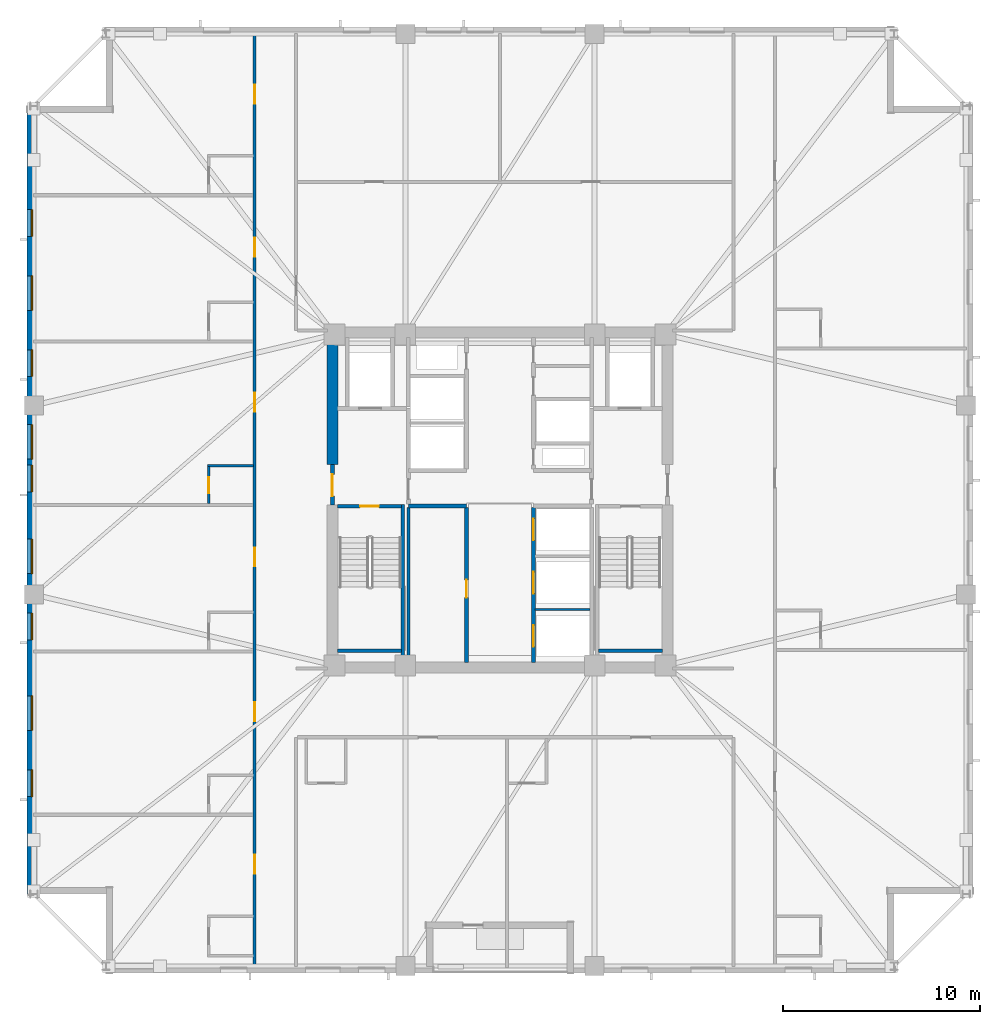
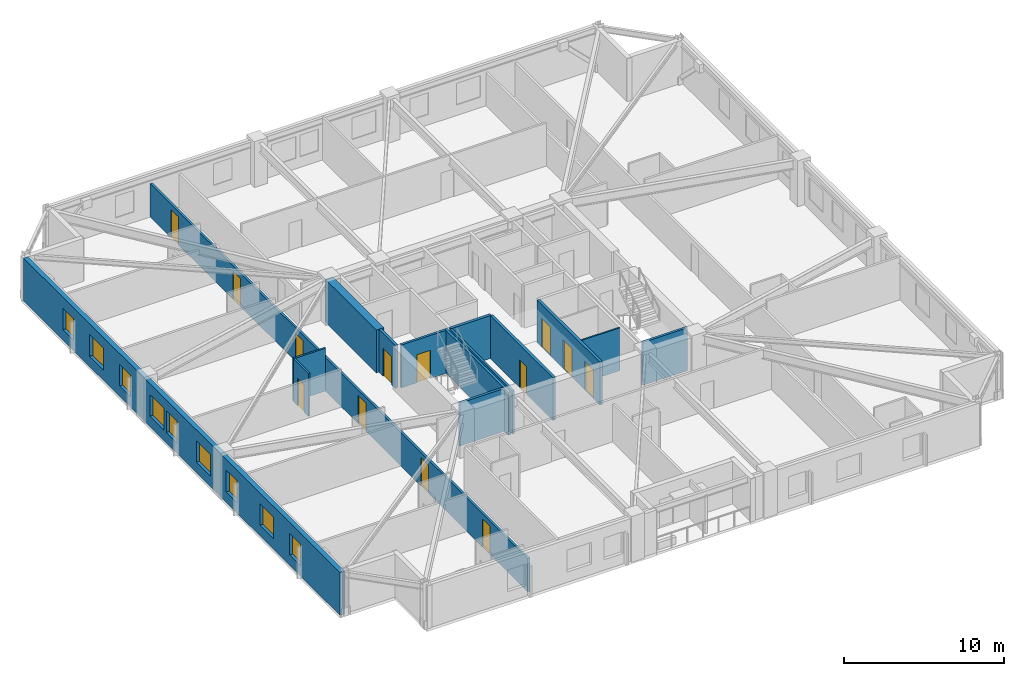
# One storey, part 3 of 11: 15 walls, 13 doors, 9 windows, 22 openings.
"""IFC4 building model written with IfcOpenShell, lengths in metres."""

from ifc_helpers import new_model, si_unit, direction, frame, frame_2d, origin, place, context, subcontext, project, spatial, rectangle, extrude, material, layer, layer_set, type_object, element, fill, save


model = new_model("IFC4")

# Units and contexts
model_context = context("Model", 3, precision=1e-05, world=origin(), true_north=direction((0.0, 1.0)))
body_context = subcontext(model_context, "Body", "Model", "MODEL_VIEW")
ifc_project = project(units=[si_unit("LENGTHUNIT", "METRE"), si_unit("AREAUNIT", "SQUARE_METRE"), si_unit("VOLUMEUNIT", "CUBIC_METRE"), si_unit("PLANEANGLEUNIT", "RADIAN"), si_unit("MASSUNIT", "GRAM", prefix="KILO")], contexts=[model_context])

# Site, building, storey
site_placement = place(None, origin())
site = spatial("IfcSite", under=ifc_project, at=site_placement, CompositionType="ELEMENT")
building_placement = place(site_placement, origin())
building = spatial("IfcBuilding", under=site, at=building_placement, Name="Cairnveth Concourse Tower", CompositionType="ELEMENT")
storey_placement = place(building_placement, frame((0.0, 0.0, 155.0)))
storey = spatial("IfcBuildingStorey", under=building, at=storey_placement, Name="L42", CompositionType="ELEMENT", Elevation=155.0)

# Wall
ifc_material_1 = material(Name="Gypsum Plasterboard Partition", Category="gypsum")
ifc_layer_1 = layer(ifc_material_1, 0.159912109375)
ifc_layer_set_1 = layer_set([ifc_layer_1], Name="Gypsum Plasterboard Partition")
wall_type_1 = type_object("IfcWallType", Name="ACOUSTIC PARTY WALL 180", PredefinedType="PARTITIONING", material=ifc_layer_set_1)
wall_1_placement = place(storey_placement, frame((47.35009765625, 30.760009765625, 0.0), z_axis=(0.0, 0.0, 1.0), x_axis=(0.0, 1.0, 0.0)))
element("IfcWall", 1, at=wall_1_placement, inside=storey, type_object=wall_type_1, Name="Interior Wall IW-L42-025", PredefinedType="PARTITIONING", context=body_context, shape_type="SweptSolid", body=[
    extrude(rectangle(XDim=7.85498046875, YDim=0.159912109375, at=frame_2d((3.927490234375, 0.0))), origin(), (0.0, 0.0, 1.0), 3.280029296875),
])

# Wall, openings, doors
wall_2_placement = place(storey_placement, frame((39.550048828125, 15.324951171875, 0.0), z_axis=(0.0, 0.0, 1.0), x_axis=(0.0, 1.0, 0.0)))
wall_2 = element("IfcWall", 2, at=wall_2_placement, inside=storey, type_object=wall_type_1, Name="Interior Wall IW-L42-036", PredefinedType="PARTITIONING", context=body_context, shape_type="SweptSolid", body=[
    extrude(rectangle(XDim=47.35009765625, YDim=0.159912109375, at=frame_2d((23.675048828125, 0.0))), origin(), (0.0, 0.0, 1.0), 2.554931640625),
])
opening_1_placement = place(wall_2_placement, frame((4.71826171875, 0.0, 0.0)))
opening_1 = element("IfcOpeningElement", 3, at=opening_1_placement, cuts=wall_2, Name="Opening ID09", PredefinedType="OPENING", context=body_context, shape_type="SweptSolid", body=[
    extrude(rectangle(XDim=0.9599609375, YDim=2.14990234375, at=frame_2d((0.47998046875, 1.074951171875))), frame((0.0, 0.08984375, 0.0), z_axis=(0.0, -1.0, 0.0), x_axis=(1.0, 0.0, 0.0)), (0.0, 0.0, 1.0), 0.179931640625),
])
opening_2_placement = place(wall_2_placement, frame((12.44091796875, 0.0, 0.0)))
opening_2 = element("IfcOpeningElement", 4, at=opening_2_placement, cuts=wall_2, Name="Opening ID09", PredefinedType="OPENING", context=body_context, shape_type="SweptSolid", body=[
    extrude(rectangle(XDim=0.9599609375, YDim=2.14990234375, at=frame_2d((0.47998046875, 1.074951171875))), frame((0.0, 0.08984375, 0.0), z_axis=(0.0, -1.0, 0.0), x_axis=(1.0, 0.0, 0.0)), (0.0, 0.0, 1.0), 0.179931640625),
])
opening_3_placement = place(wall_2_placement, frame((20.301025390625, 0.0, 0.0)))
opening_3 = element("IfcOpeningElement", 5, at=opening_3_placement, cuts=wall_2, Name="Opening ID09", PredefinedType="OPENING", context=body_context, shape_type="SweptSolid", body=[
    extrude(rectangle(XDim=0.9599609375, YDim=2.14990234375, at=frame_2d((0.47998046875, 1.074951171875))), frame((0.0, 0.08984375, 0.0), z_axis=(0.0, -1.0, 0.0), x_axis=(1.0, 0.0, 0.0)), (0.0, 0.0, 1.0), 0.179931640625),
])
opening_4_placement = place(wall_2_placement, frame((28.160888671875, 0.0, 0.0)))
opening_4 = element("IfcOpeningElement", 6, at=opening_4_placement, cuts=wall_2, Name="Opening ID09", PredefinedType="OPENING", context=body_context, shape_type="SweptSolid", body=[
    extrude(rectangle(XDim=0.9599609375, YDim=2.14990234375, at=frame_2d((0.47998046875, 1.074951171875))), frame((0.0, 0.08984375, 0.0), z_axis=(0.0, -1.0, 0.0), x_axis=(1.0, 0.0, 0.0)), (0.0, 0.0, 1.0), 0.179931640625),
])
opening_5_placement = place(wall_2_placement, frame((36.02099609375, 0.0, 0.0)))
opening_5 = element("IfcOpeningElement", 7, at=opening_5_placement, cuts=wall_2, Name="Opening ID09", PredefinedType="OPENING", context=body_context, shape_type="SweptSolid", body=[
    extrude(rectangle(XDim=0.9599609375, YDim=2.14990234375, at=frame_2d((0.47998046875, 1.074951171875))), frame((0.0, 0.08984375, 0.0), z_axis=(0.0, -1.0, 0.0), x_axis=(1.0, 0.0, 0.0)), (0.0, 0.0, 1.0), 0.179931640625),
])
opening_6_placement = place(wall_2_placement, frame((43.793212890625, 0.0, 0.0)))
opening_6 = element("IfcOpeningElement", 8, at=opening_6_placement, cuts=wall_2, Name="Opening ID09", PredefinedType="OPENING", context=body_context, shape_type="SweptSolid", body=[
    extrude(rectangle(XDim=0.9599609375, YDim=2.14990234375, at=frame_2d((0.47998046875, 1.074951171875))), frame((0.0, 0.08984375, 0.0), z_axis=(0.0, -1.0, 0.0), x_axis=(1.0, 0.0, 0.0)), (0.0, 0.0, 1.0), 0.179931640625),
])
ifc_material_2 = material(Name="Solid Core Hardwood Timber Leaf", Category="wood")
door_type_1 = type_object("IfcDoorType", Name="HOTEL ENTRANCE DOOR 960X2150", OperationType="NOTDEFINED", PredefinedType="DOOR", material=ifc_material_2)
door_1_placement = place(opening_1_placement, origin())
door_1 = element("IfcDoor", 9, at=door_1_placement, inside=storey, type_object=door_type_1, Name="Hotel Room Door L42-W1", OperationType="SINGLE_SWING_LEFT", OverallHeight=2.14990234375, OverallWidth=0.9599609375, PredefinedType="DOOR", context=body_context, shape_type="SweptSolid", body=[
    extrude(rectangle(XDim=0.9599609375, YDim=2.14990234375, at=frame_2d((0.47998046875, 1.074951171875))), frame((0.0, 0.02490234375, 0.0), z_axis=(0.0, -1.0, 0.0), x_axis=(1.0, 0.0, 0.0)), (0.0, 0.0, 1.0), 0.050048828125),
])
fill(opening_1, door_1)
door_2_placement = place(opening_2_placement, origin())
door_2 = element("IfcDoor", 10, at=door_2_placement, inside=storey, type_object=door_type_1, Name="Hotel Room Door L42-W2", OperationType="SINGLE_SWING_LEFT", OverallHeight=2.14990234375, OverallWidth=0.9599609375, PredefinedType="DOOR", context=body_context, shape_type="SweptSolid", body=[
    extrude(rectangle(XDim=0.9599609375, YDim=2.14990234375, at=frame_2d((0.47998046875, 1.074951171875))), frame((0.0, 0.02490234375, 0.0), z_axis=(0.0, -1.0, 0.0), x_axis=(1.0, 0.0, 0.0)), (0.0, 0.0, 1.0), 0.050048828125),
])
fill(opening_2, door_2)
door_3_placement = place(opening_3_placement, origin())
door_3 = element("IfcDoor", 11, at=door_3_placement, inside=storey, type_object=door_type_1, Name="Hotel Room Door L42-W3", OperationType="SINGLE_SWING_LEFT", OverallHeight=2.14990234375, OverallWidth=0.9599609375, PredefinedType="DOOR", context=body_context, shape_type="SweptSolid", body=[
    extrude(rectangle(XDim=0.9599609375, YDim=2.14990234375, at=frame_2d((0.47998046875, 1.074951171875))), frame((0.0, 0.02490234375, 0.0), z_axis=(0.0, -1.0, 0.0), x_axis=(1.0, 0.0, 0.0)), (0.0, 0.0, 1.0), 0.050048828125),
])
fill(opening_3, door_3)
door_4_placement = place(opening_4_placement, origin())
door_4 = element("IfcDoor", 12, at=door_4_placement, inside=storey, type_object=door_type_1, Name="Hotel Room Door L42-W4", OperationType="SINGLE_SWING_LEFT", OverallHeight=2.14990234375, OverallWidth=0.9599609375, PredefinedType="DOOR", context=body_context, shape_type="SweptSolid", body=[
    extrude(rectangle(XDim=0.9599609375, YDim=2.14990234375, at=frame_2d((0.47998046875, 1.074951171875))), frame((0.0, 0.02490234375, 0.0), z_axis=(0.0, -1.0, 0.0), x_axis=(1.0, 0.0, 0.0)), (0.0, 0.0, 1.0), 0.050048828125),
])
fill(opening_4, door_4)
door_5_placement = place(opening_5_placement, origin())
door_5 = element("IfcDoor", 13, at=door_5_placement, inside=storey, type_object=door_type_1, Name="Hotel Room Door L42-W5", OperationType="SINGLE_SWING_LEFT", OverallHeight=2.14990234375, OverallWidth=0.9599609375, PredefinedType="DOOR", context=body_context, shape_type="SweptSolid", body=[
    extrude(rectangle(XDim=0.9599609375, YDim=2.14990234375, at=frame_2d((0.47998046875, 1.074951171875))), frame((0.0, 0.02490234375, 0.0), z_axis=(0.0, -1.0, 0.0), x_axis=(1.0, 0.0, 0.0)), (0.0, 0.0, 1.0), 0.050048828125),
])
fill(opening_5, door_5)
door_6_placement = place(opening_6_placement, origin())
door_6 = element("IfcDoor", 14, at=door_6_placement, inside=storey, type_object=door_type_1, Name="Hotel Room Door L42-W6", OperationType="SINGLE_SWING_LEFT", OverallHeight=2.14990234375, OverallWidth=0.9599609375, PredefinedType="DOOR", context=body_context, shape_type="SweptSolid", body=[
    extrude(rectangle(XDim=0.9599609375, YDim=2.14990234375, at=frame_2d((0.47998046875, 1.074951171875))), frame((0.0, 0.02490234375, 0.0), z_axis=(0.0, -1.0, 0.0), x_axis=(1.0, 0.0, 0.0)), (0.0, 0.0, 1.0), 0.050048828125),
])
fill(opening_6, door_6)

# Wall
ifc_material_3 = material(Name="Concrete N80 (80 MPa)", Category="concrete")
ifc_layer_2 = layer(ifc_material_3, 0.550048828125)
ifc_layer_set_2 = layer_set([ifc_layer_2], Name="Concrete N80 (80 MPa)")
wall_type_2 = type_object("IfcWallType", Name="CORE SHEAR WALL 550", PredefinedType="SHEAR", material=ifc_layer_set_2)
wall_3_placement = place(storey_placement, frame((43.5, 40.800048828125, 0.0), z_axis=(0.0, 0.0, 1.0), x_axis=(0.0, 1.0, 0.0)))
element("IfcWall", 15, at=wall_3_placement, inside=storey, type_object=wall_type_2, Name="Core West Shear Wall N L42", PredefinedType="SHEAR", context=body_context, shape_type="SweptSolid", body=[
    extrude(rectangle(XDim=6.43505859375, YDim=0.550048828125, at=frame_2d((3.217529296875, 0.0))), origin(), (0.0, 0.0, 1.0), 3.280029296875),
])

# Wall, opening, door
ifc_material_4 = material(Name="Concrete N50 (50 MPa)", Category="concrete")
ifc_layer_3 = layer(ifc_material_4, 0.179931640625)
ifc_layer_set_3 = layer_set([ifc_layer_3], Name="Concrete N50 (50 MPa)")
wall_type_3 = type_object("IfcWallType", Name="FIRE SHAFT WALL 180", PredefinedType="SOLIDWALL", material=ifc_layer_set_3)
wall_4_placement = place(storey_placement, frame((43.764892578125, 38.68994140625, 0.0), z_axis=(0.0, 0.0, 1.0), x_axis=(1.0, 0.0, 0.0)))
wall_4 = element("IfcWall", 16, at=wall_4_placement, inside=storey, type_object=wall_type_3, Name="Stair ST-1 Shaft Wall NEAR L42", PredefinedType="SOLIDWALL", context=body_context, shape_type="SweptSolid", body=[
    extrude(rectangle(XDim=3.230224609375, YDim=0.179931640625, at=frame_2d((1.615234375, 0.0))), origin(), (0.0, 0.0, 1.0), 3.280029296875),
])
opening_7_placement = place(wall_4_placement, frame((1.139892578125, 0.0, 0.0)))
opening_7 = element("IfcOpeningElement", 17, at=opening_7_placement, cuts=wall_4, Name="Opening ID12", PredefinedType="OPENING", context=body_context, shape_type="SweptSolid", body=[
    extrude(rectangle(XDim=0.949951171875, YDim=2.14990234375, at=frame_2d((0.47509765625, 1.074951171875))), frame((0.0, 0.099853515625, 0.0), z_axis=(0.0, -1.0, 0.0), x_axis=(1.0, 0.0, 0.0)), (0.0, 0.0, 1.0), 0.199951171875),
])
ifc_material_5 = material(Name="Steel Grade 350", Category="steel")
door_type_2 = type_object("IfcDoorType", Name="FIRE STAIR DOOR 950X2150", OperationType="NOTDEFINED", PredefinedType="DOOR", material=ifc_material_5)
door_7_placement = place(opening_7_placement, origin())
door_7 = element("IfcDoor", 18, at=door_7_placement, inside=storey, type_object=door_type_2, Name="Stair ST-1 Fire Door L42", OperationType="SINGLE_SWING_LEFT", OverallHeight=2.14990234375, OverallWidth=0.949951171875, PredefinedType="DOOR", context=body_context, shape_type="SweptSolid", body=[
    extrude(rectangle(XDim=0.949951171875, YDim=2.14990234375, at=frame_2d((0.47509765625, 1.074951171875))), frame((0.0, 0.02490234375, 0.0), z_axis=(0.0, -1.0, 0.0), x_axis=(1.0, 0.0, 0.0)), (0.0, 0.0, 1.0), 0.050048828125),
])
fill(opening_7, door_7)

# Walls
wall_5_placement = place(storey_placement, frame((43.764892578125, 31.360107421875, 0.0), z_axis=(0.0, 0.0, 1.0), x_axis=(1.0, 0.0, 0.0)))
element("IfcWall", 19, at=wall_5_placement, inside=storey, type_object=wall_type_3, Name="Stair ST-1 Shaft Wall FAR L42", PredefinedType="SOLIDWALL", context=body_context, shape_type="SweptSolid", body=[
    extrude(rectangle(XDim=3.230224609375, YDim=0.179931640625, at=frame_2d((1.615234375, 0.0))), origin(), (0.0, 0.0, 1.0), 3.280029296875),
])
wall_6_placement = place(storey_placement, frame((47.070068359375, 38.780029296875, 0.0), z_axis=(0.0, 0.0, 1.0), x_axis=(0.0, -1.0, 0.0)))
element("IfcWall", 20, at=wall_6_placement, inside=storey, type_object=wall_type_3, Name="Stair ST-1 Shaft Wall RGHT L42", PredefinedType="SOLIDWALL", context=body_context, shape_type="SweptSolid", body=[
    extrude(rectangle(XDim=8.01708984375, YDim=0.179931640625, at=frame_2d((4.008544921875, 0.0))), origin(), (0.0, 0.0, 1.0), 3.280029296875),
])
wall_7_placement = place(storey_placement, frame((57.0048828125, 31.360107421875, 0.0), z_axis=(0.0, 0.0, 1.0), x_axis=(1.0, 0.0, 0.0)))
element("IfcWall", 21, at=wall_7_placement, inside=storey, type_object=wall_type_3, Name="Stair ST-2 Shaft Wall FAR L42", PredefinedType="SOLIDWALL", context=body_context, shape_type="SweptSolid", body=[
    extrude(rectangle(XDim=3.230224609375, YDim=0.179931640625, at=frame_2d((1.615234375, 0.0))), origin(), (0.0, 0.0, 1.0), 3.280029296875),
])
ifc_layer_4 = layer(ifc_material_4, 0.199951171875)
ifc_layer_set_4 = layer_set([ifc_layer_4], Name="Concrete N50 (50 MPa)")
wall_type_4 = type_object("IfcWallType", Name="FIRE SHAFT WALL 200", PredefinedType="SOLIDWALL", material=ifc_layer_set_4)
wall_8_placement = place(storey_placement, frame((47.35009765625, 38.699951171875, 0.0), z_axis=(0.0, 0.0, 1.0), x_axis=(1.0, 0.0, 0.0)))
element("IfcWall", 22, at=wall_8_placement, inside=storey, type_object=wall_type_4, Name="Interior Wall IW-L42-007", PredefinedType="SOLIDWALL", context=body_context, shape_type="SweptSolid", body=[
    extrude(rectangle(XDim=2.949951171875, YDim=0.199951171875, at=frame_2d((1.47509765625, 0.0))), origin(), (0.0, 0.0, 1.0), 3.280029296875),
])

# Wall, opening, door
wall_9_placement = place(storey_placement, frame((50.300048828125, 30.760009765625, 0.0), z_axis=(0.0, 0.0, 1.0), x_axis=(0.0, 1.0, 0.0)))
wall_9 = element("IfcWall", 23, at=wall_9_placement, inside=storey, type_object=wall_type_4, Name="Interior Wall IW-L42-011", PredefinedType="SOLIDWALL", context=body_context, shape_type="SweptSolid", body=[
    extrude(rectangle(XDim=7.85498046875, YDim=0.199951171875, at=frame_2d((3.927490234375, 0.0))), origin(), (0.0, 0.0, 1.0), 3.280029296875),
])
opening_8_placement = place(wall_9_placement, frame((3.2900390625, 0.0, 0.0)))
opening_8 = element("IfcOpeningElement", 24, at=opening_8_placement, cuts=wall_9, Name="Opening ID16", PredefinedType="OPENING", context=body_context, shape_type="SweptSolid", body=[
    extrude(rectangle(XDim=0.89990234375, YDim=2.1201171875, at=frame_2d((0.449951171875, 1.06005859375))), frame((0.0, 0.10986328125, 0.0), z_axis=(0.0, -1.0, 0.0), x_axis=(1.0, 0.0, 0.0)), (0.0, 0.0, 1.0), 0.219970703125),
])
door_type_3 = type_object("IfcDoorType", Name="CORE SERVICE DOOR 900X2100", OperationType="NOTDEFINED", PredefinedType="DOOR", material=ifc_material_5)
door_8_placement = place(opening_8_placement, origin())
door_8 = element("IfcDoor", 25, at=door_8_placement, inside=storey, type_object=door_type_3, Name="Linen Pantry Suite Door L42", OperationType="SINGLE_SWING_LEFT", OverallHeight=2.1201171875, OverallWidth=0.89990234375, PredefinedType="DOOR", context=body_context, shape_type="SweptSolid", body=[
    extrude(rectangle(XDim=0.89990234375, YDim=2.1201171875, at=frame_2d((0.449951171875, 1.06005859375))), frame((0.0, 0.02490234375, 0.0), z_axis=(0.0, -1.0, 0.0), x_axis=(1.0, 0.0, 0.0)), (0.0, 0.0, 1.0), 0.050048828125),
])
fill(opening_8, door_8)

# Wall, openings, doors
wall_10_placement = place(storey_placement, frame((53.699951171875, 30.760009765625, 0.0), z_axis=(0.0, 0.0, 1.0), x_axis=(0.0, 1.0, 0.0)))
wall_10 = element("IfcWall", 26, at=wall_10_placement, inside=storey, type_object=wall_type_4, Name="Interior Wall IW-L42-012", PredefinedType="SOLIDWALL", context=body_context, shape_type="SweptSolid", body=[
    extrude(rectangle(XDim=7.85498046875, YDim=0.199951171875, at=frame_2d((3.927490234375, 0.0))), origin(), (0.0, 0.0, 1.0), 3.280029296875),
])
opening_9_placement = place(wall_10_placement, frame((0.7900390625, 0.0, 0.0)))
opening_9 = element("IfcOpeningElement", 27, at=opening_9_placement, cuts=wall_10, Name="Opening LD-1", PredefinedType="OPENING", context=body_context, shape_type="SweptSolid", body=[
    extrude(rectangle(XDim=1.10009765625, YDim=2.199951171875, at=frame_2d((0.550048828125, 1.10009765625))), frame((0.0, 0.10986328125, 0.0), z_axis=(0.0, -1.0, 0.0), x_axis=(1.0, 0.0, 0.0)), (0.0, 0.0, 1.0), 0.219970703125),
])
opening_10_placement = place(wall_10_placement, frame((3.489990234375, 0.0, 0.0)))
opening_10 = element("IfcOpeningElement", 28, at=opening_10_placement, cuts=wall_10, Name="Opening LD-1", PredefinedType="OPENING", context=body_context, shape_type="SweptSolid", body=[
    extrude(rectangle(XDim=1.10009765625, YDim=2.199951171875, at=frame_2d((0.550048828125, 1.10009765625))), frame((0.0, 0.10986328125, 0.0), z_axis=(0.0, -1.0, 0.0), x_axis=(1.0, 0.0, 0.0)), (0.0, 0.0, 1.0), 0.219970703125),
])
opening_11_placement = place(wall_10_placement, frame((6.18994140625, 0.0, 0.0)))
opening_11 = element("IfcOpeningElement", 29, at=opening_11_placement, cuts=wall_10, Name="Opening LD-1", PredefinedType="OPENING", context=body_context, shape_type="SweptSolid", body=[
    extrude(rectangle(XDim=1.10009765625, YDim=2.199951171875, at=frame_2d((0.550048828125, 1.10009765625))), frame((0.0, 0.10986328125, 0.0), z_axis=(0.0, -1.0, 0.0), x_axis=(1.0, 0.0, 0.0)), (0.0, 0.0, 1.0), 0.219970703125),
])
ifc_material_6 = material(Name="Architectural Bronze Anodised Aluminium 6063-T6", Category="aluminium")
door_type_4 = type_object("IfcDoorType", Name="LIFT LANDING DOOR 1100X2200", OperationType="SLIDING_TO_LEFT", PredefinedType="DOOR", material=ifc_material_6)
door_9_placement = place(opening_9_placement, origin())
door_9 = element("IfcDoor", 30, at=door_9_placement, inside=storey, type_object=door_type_4, Name="Lift PL4 Landing Door L42", OperationType="SLIDING_TO_LEFT", OverallHeight=2.199951171875, OverallWidth=1.10009765625, PredefinedType="DOOR", context=body_context, shape_type="SweptSolid", body=[
    extrude(rectangle(XDim=1.10009765625, YDim=2.199951171875, at=frame_2d((0.550048828125, 1.10009765625))), frame((0.0, 0.02490234375, 0.0), z_axis=(0.0, -1.0, 0.0), x_axis=(1.0, 0.0, 0.0)), (0.0, 0.0, 1.0), 0.050048828125),
])
fill(opening_9, door_9)
door_10_placement = place(opening_10_placement, origin())
door_10 = element("IfcDoor", 31, at=door_10_placement, inside=storey, type_object=door_type_4, Name="Lift PL5 Landing Door L42", OperationType="SLIDING_TO_LEFT", OverallHeight=2.199951171875, OverallWidth=1.10009765625, PredefinedType="DOOR", context=body_context, shape_type="SweptSolid", body=[
    extrude(rectangle(XDim=1.10009765625, YDim=2.199951171875, at=frame_2d((0.550048828125, 1.10009765625))), frame((0.0, 0.02490234375, 0.0), z_axis=(0.0, -1.0, 0.0), x_axis=(1.0, 0.0, 0.0)), (0.0, 0.0, 1.0), 0.050048828125),
])
fill(opening_10, door_10)
door_11_placement = place(opening_11_placement, origin())
door_11 = element("IfcDoor", 32, at=door_11_placement, inside=storey, type_object=door_type_4, Name="Lift PL6 Landing Door L42", OperationType="SLIDING_TO_LEFT", OverallHeight=2.199951171875, OverallWidth=1.10009765625, PredefinedType="DOOR", context=body_context, shape_type="SweptSolid", body=[
    extrude(rectangle(XDim=1.10009765625, YDim=2.199951171875, at=frame_2d((0.550048828125, 1.10009765625))), frame((0.0, 0.02490234375, 0.0), z_axis=(0.0, -1.0, 0.0), x_axis=(1.0, 0.0, 0.0)), (0.0, 0.0, 1.0), 0.050048828125),
])
fill(opening_11, door_11)

# Wall, opening, door
wall_11_placement = place(storey_placement, frame((43.5, 38.75, 0.0), z_axis=(0.0, 0.0, 1.0), x_axis=(0.0, 1.0, 0.0)))
wall_11 = element("IfcWall", 33, at=wall_11_placement, inside=storey, type_object=wall_type_4, Name="Interior Wall IW-L42-015", PredefinedType="SOLIDWALL", context=body_context, shape_type="SweptSolid", body=[
    extrude(rectangle(XDim=2.050048828125, YDim=0.199951171875, at=frame_2d((1.02490234375, 0.0))), origin(), (0.0, 0.0, 1.0), 3.280029296875),
])
opening_12_placement = place(wall_11_placement, frame((0.449951171875, 0.0, 0.0)))
opening_12 = element("IfcOpeningElement", 34, at=opening_12_placement, cuts=wall_11, Name="Opening ID06", PredefinedType="OPENING", context=body_context, shape_type="SweptSolid", body=[
    extrude(rectangle(XDim=1.10009765625, YDim=2.14990234375, at=frame_2d((0.550048828125, 1.074951171875))), frame((0.0, 0.10986328125, 0.0), z_axis=(0.0, -1.0, 0.0), x_axis=(1.0, 0.0, 0.0)), (0.0, 0.0, 1.0), 0.219970703125),
])
door_type_5 = type_object("IfcDoorType", Name="FIRE CORRIDOR DOOR 1100X2150", OperationType="NOTDEFINED", PredefinedType="DOOR", material=ifc_material_5)
door_12_placement = place(opening_12_placement, origin())
door_12 = element("IfcDoor", 35, at=door_12_placement, inside=storey, type_object=door_type_5, Name="West Wing to FF Lobby Door L42", OperationType="SINGLE_SWING_LEFT", OverallHeight=2.14990234375, OverallWidth=1.10009765625, PredefinedType="DOOR", context=body_context, shape_type="SweptSolid", body=[
    extrude(rectangle(XDim=1.10009765625, YDim=2.14990234375, at=frame_2d((0.550048828125, 1.074951171875))), frame((0.0, 0.02490234375, 0.0), z_axis=(0.0, -1.0, 0.0), x_axis=(1.0, 0.0, 0.0)), (0.0, 0.0, 1.0), 0.050048828125),
])
fill(opening_12, door_12)

# Walls
ifc_layer_5 = layer(ifc_material_1, 0.110107421875)
ifc_layer_set_5 = layer_set([ifc_layer_5], Name="Gypsum Plasterboard Partition")
wall_type_5 = type_object("IfcWallType", Name="SHAFT DIVIDER WALL 140", PredefinedType="PARTITIONING", material=ifc_layer_set_5)
wall_12_placement = place(storey_placement, frame((53.784912109375, 33.449951171875, 0.0), z_axis=(0.0, 0.0, 1.0), x_axis=(1.0, 0.0, 0.0)))
element("IfcWall", 36, at=wall_12_placement, inside=storey, type_object=wall_type_5, Name="Interior Wall IW-L42-027", PredefinedType="PARTITIONING", context=body_context, shape_type="SweptSolid", body=[
    extrude(rectangle(XDim=2.7900390625, YDim=0.110107421875, at=frame_2d((1.39501953125, 0.0))), origin(), (0.0, 0.0, 1.0), 3.280029296875),
])
ifc_layer_6 = layer(ifc_material_1, 0.1298828125)
ifc_layer_set_6 = layer_set([ifc_layer_6], Name="Gypsum Plasterboard Partition")
wall_type_6 = type_object("IfcWallType", Name="WET AREA PARTITION 140", PredefinedType="PLUMBINGWALL", material=ifc_layer_set_6)
wall_13_placement = place(storey_placement, frame((37.169921875, 40.74658203125, 0.0), z_axis=(0.0, 0.0, 1.0), x_axis=(1.0, 0.0, 0.0)))
element("IfcWall", 37, at=wall_13_placement, inside=storey, type_object=wall_type_6, Name="Interior Wall IW-L42-065", PredefinedType="PLUMBINGWALL", context=body_context, shape_type="SweptSolid", body=[
    extrude(rectangle(XDim=2.315185546875, YDim=0.1298828125, at=frame_2d((1.15771484375, 0.0))), origin(), (0.0, 0.0, 1.0), 3.280029296875),
])

# Wall, opening, door
wall_14_placement = place(storey_placement, frame((37.219970703125, 38.8115234375, 0.0), z_axis=(0.0, 0.0, 1.0), x_axis=(0.0, 1.0, 0.0)))
wall_14 = element("IfcWall", 38, at=wall_14_placement, inside=storey, type_object=wall_type_6, Name="Interior Wall IW-L42-066", PredefinedType="PLUMBINGWALL", context=body_context, shape_type="SweptSolid", body=[
    extrude(rectangle(XDim=1.885009765625, YDim=0.1298828125, at=frame_2d((0.9423828125, 0.0))), origin(), (0.0, 0.0, 1.0), 3.280029296875),
])
opening_13_placement = place(wall_14_placement, frame((0.52490234375, 0.0, 0.0)))
opening_13 = element("IfcOpeningElement", 39, at=opening_13_placement, cuts=wall_14, Name="Opening ID22", PredefinedType="OPENING", context=body_context, shape_type="SweptSolid", body=[
    extrude(rectangle(XDim=0.820068359375, YDim=2.10009765625, at=frame_2d((0.41015625, 1.050048828125))), frame((0.0, 0.074951171875, 0.0), z_axis=(0.0, -1.0, 0.0), x_axis=(1.0, 0.0, 0.0)), (0.0, 0.0, 1.0), 0.14990234375),
])
door_type_6 = type_object("IfcDoorType", Name="INTERIOR WC DOOR 820X2100", OperationType="NOTDEFINED", PredefinedType="DOOR", material=ifc_material_2)
door_13_placement = place(opening_13_placement, origin())
door_13 = element("IfcDoor", 40, at=door_13_placement, inside=storey, type_object=door_type_6, Name="En-Suite Door L42-W4", OperationType="SINGLE_SWING_RIGHT", OverallHeight=2.10009765625, OverallWidth=0.820068359375, PredefinedType="DOOR", context=body_context, shape_type="SweptSolid", body=[
    extrude(rectangle(XDim=0.820068359375, YDim=2.10009765625, at=frame_2d((0.41015625, 1.050048828125))), frame((0.0, 0.02490234375, 0.0), z_axis=(0.0, -1.0, 0.0), x_axis=(1.0, 0.0, 0.0)), (0.0, 0.0, 1.0), 0.050048828125),
])
fill(opening_13, door_13)

# Wall, openings, windows
ifc_material_7 = material(Name="Hawthorn Red-Ochre Fired Clay Brick Masonry", Category="masonry")
ifc_layer_7 = layer(ifc_material_7, 0.340087890625)
ifc_layer_set_7 = layer_set([ifc_layer_7], Name="Hawthorn Red-Ochre Fired Clay Brick Masonry")
wall_type_7 = type_object("IfcWallType", Name="ZONE 2 BRICK PIER SPANDREL WALL 340", PredefinedType="SOLIDWALL", material=ifc_layer_set_7)
wall_15_placement = place(storey_placement, frame((28.169921875, 19.0, 0.0), z_axis=(0.0, 0.0, 1.0), x_axis=(0.0, 1.0, 0.0)))
wall_15 = element("IfcWall", 41, at=wall_15_placement, inside=storey, type_object=wall_type_7, Name="Exterior Wall EW-L42-S03", PredefinedType="SOLIDWALL", context=body_context, shape_type="SweptSolid", body=[
    extrude(rectangle(XDim=39.681884765625, YDim=0.340087890625, at=frame_2d((19.8408203125, 0.0))), origin(), (0.0, 0.0, 1.0), 3.280029296875),
])
opening_14_placement = place(wall_15_placement, frame((4.951904296875, 0.0, 0.800048828125)))
opening_14 = element("IfcOpeningElement", 42, at=opening_14_placement, cuts=wall_15, Name="Opening W02", PredefinedType="OPENING", context=body_context, shape_type="SweptSolid", body=[
    extrude(rectangle(XDim=1.35009765625, YDim=1.659912109375, at=frame_2d((0.675048828125, 0.830078125))), frame((0.0, 0.179931640625, 0.0), z_axis=(0.0, -1.0, 0.0), x_axis=(1.0, 0.0, 0.0)), (0.0, 0.0, 1.0), 0.360107421875),
])
opening_15_placement = place(wall_15_placement, frame((8.305419921875, 0.0, 0.800048828125)))
opening_15 = element("IfcOpeningElement", 43, at=opening_15_placement, cuts=wall_15, Name="Opening W06", PredefinedType="OPENING", context=body_context, shape_type="SweptSolid", body=[
    extrude(rectangle(XDim=1.75, YDim=1.659912109375, at=frame_2d((0.875, 0.830078125))), frame((0.0, 0.179931640625, 0.0), z_axis=(0.0, -1.0, 0.0), x_axis=(1.0, 0.0, 0.0)), (0.0, 0.0, 1.0), 0.360107421875),
])
opening_16_placement = place(wall_15_placement, frame((12.908935546875, 0.0, 0.800048828125)))
opening_16 = element("IfcOpeningElement", 44, at=opening_16_placement, cuts=wall_15, Name="Opening W02", PredefinedType="OPENING", context=body_context, shape_type="SweptSolid", body=[
    extrude(rectangle(XDim=1.35009765625, YDim=1.659912109375, at=frame_2d((0.675048828125, 0.830078125))), frame((0.0, 0.179931640625, 0.0), z_axis=(0.0, -1.0, 0.0), x_axis=(1.0, 0.0, 0.0)), (0.0, 0.0, 1.0), 0.360107421875),
])
opening_17_placement = place(wall_15_placement, frame((16.262451171875, 0.0, 0.800048828125)))
opening_17 = element("IfcOpeningElement", 45, at=opening_17_placement, cuts=wall_15, Name="Opening W06", PredefinedType="OPENING", context=body_context, shape_type="SweptSolid", body=[
    extrude(rectangle(XDim=1.75, YDim=1.659912109375, at=frame_2d((0.875, 0.830078125))), frame((0.0, 0.179931640625, 0.0), z_axis=(0.0, -1.0, 0.0), x_axis=(1.0, 0.0, 0.0)), (0.0, 0.0, 1.0), 0.360107421875),
])
opening_18_placement = place(wall_15_placement, frame((20.416015625, 0.0, 0.800048828125)))
opening_18 = element("IfcOpeningElement", 46, at=opening_18_placement, cuts=wall_15, Name="Opening W02", PredefinedType="OPENING", context=body_context, shape_type="SweptSolid", body=[
    extrude(rectangle(XDim=1.35009765625, YDim=1.659912109375, at=frame_2d((0.675048828125, 0.830078125))), frame((0.0, 0.179931640625, 0.0), z_axis=(0.0, -1.0, 0.0), x_axis=(1.0, 0.0, 0.0)), (0.0, 0.0, 1.0), 0.360107421875),
])
opening_19_placement = place(wall_15_placement, frame((22.069580078125, 0.0, 0.800048828125)))
opening_19 = element("IfcOpeningElement", 47, at=opening_19_placement, cuts=wall_15, Name="Opening W06", PredefinedType="OPENING", context=body_context, shape_type="SweptSolid", body=[
    extrude(rectangle(XDim=1.75, YDim=1.659912109375, at=frame_2d((0.875, 0.830078125))), frame((0.0, 0.179931640625, 0.0), z_axis=(0.0, -1.0, 0.0), x_axis=(1.0, 0.0, 0.0)), (0.0, 0.0, 1.0), 0.360107421875),
])
opening_20_placement = place(wall_15_placement, frame((26.273193359375, 0.0, 0.800048828125)))
opening_20 = element("IfcOpeningElement", 48, at=opening_20_placement, cuts=wall_15, Name="Opening W02", PredefinedType="OPENING", context=body_context, shape_type="SweptSolid", body=[
    extrude(rectangle(XDim=1.35009765625, YDim=1.659912109375, at=frame_2d((0.675048828125, 0.830078125))), frame((0.0, 0.179931640625, 0.0), z_axis=(0.0, -1.0, 0.0), x_axis=(1.0, 0.0, 0.0)), (0.0, 0.0, 1.0), 0.360107421875),
])
opening_21_placement = place(wall_15_placement, frame((29.626708984375, 0.0, 0.800048828125)))
opening_21 = element("IfcOpeningElement", 49, at=opening_21_placement, cuts=wall_15, Name="Opening W06", PredefinedType="OPENING", context=body_context, shape_type="SweptSolid", body=[
    extrude(rectangle(XDim=1.75, YDim=1.659912109375, at=frame_2d((0.875, 0.830078125))), frame((0.0, 0.179931640625, 0.0), z_axis=(0.0, -1.0, 0.0), x_axis=(1.0, 0.0, 0.0)), (0.0, 0.0, 1.0), 0.360107421875),
])
opening_22_placement = place(wall_15_placement, frame((33.380126953125, 0.0, 0.800048828125)))
opening_22 = element("IfcOpeningElement", 50, at=opening_22_placement, cuts=wall_15, Name="Opening W02", PredefinedType="OPENING", context=body_context, shape_type="SweptSolid", body=[
    extrude(rectangle(XDim=1.35009765625, YDim=1.659912109375, at=frame_2d((0.675048828125, 0.830078125))), frame((0.0, 0.179931640625, 0.0), z_axis=(0.0, -1.0, 0.0), x_axis=(1.0, 0.0, 0.0)), (0.0, 0.0, 1.0), 0.360107421875),
])
ifc_material_8 = material(Name="Double Glazed Low-E Clear Glass", Category="glass")
window_type_1 = type_object("IfcWindowType", Name="DEEP-SET GOTHIC LANCET WINDOW 1350X1800", PartitioningType="DOUBLE_PANEL_VERTICAL", PredefinedType="WINDOW", material=ifc_material_8)
window_1_placement = place(opening_14_placement, origin())
window_1 = element("IfcWindow", 51, at=window_1_placement, inside=storey, type_object=window_type_1, Name="Gothic Lancet Window L42-3-1", OverallHeight=1.659912109375, OverallWidth=1.35009765625, PartitioningType="SINGLE_PANEL", PredefinedType="WINDOW", context=body_context, shape_type="SweptSolid", body=[
    extrude(rectangle(XDim=1.35009765625, YDim=1.659912109375, at=frame_2d((0.675048828125, 0.830078125))), frame((0.0, -0.050048828125, 0.0), z_axis=(0.0, -1.0, 0.0), x_axis=(1.0, 0.0, 0.0)), (0.0, 0.0, 1.0), 0.06005859375),
])
fill(opening_14, window_1)
window_2_placement = place(opening_16_placement, origin())
window_2 = element("IfcWindow", 52, at=window_2_placement, inside=storey, type_object=window_type_1, Name="Gothic Lancet Window L42-3-3", OverallHeight=1.659912109375, OverallWidth=1.35009765625, PartitioningType="SINGLE_PANEL", PredefinedType="WINDOW", context=body_context, shape_type="SweptSolid", body=[
    extrude(rectangle(XDim=1.35009765625, YDim=1.659912109375, at=frame_2d((0.675048828125, 0.830078125))), frame((0.0, -0.050048828125, 0.0), z_axis=(0.0, -1.0, 0.0), x_axis=(1.0, 0.0, 0.0)), (0.0, 0.0, 1.0), 0.06005859375),
])
fill(opening_16, window_2)
window_3_placement = place(opening_18_placement, origin())
window_3 = element("IfcWindow", 53, at=window_3_placement, inside=storey, type_object=window_type_1, Name="Gothic Lancet Window L42-3-5", OverallHeight=1.659912109375, OverallWidth=1.35009765625, PartitioningType="SINGLE_PANEL", PredefinedType="WINDOW", context=body_context, shape_type="SweptSolid", body=[
    extrude(rectangle(XDim=1.35009765625, YDim=1.659912109375, at=frame_2d((0.675048828125, 0.830078125))), frame((0.0, -0.050048828125, 0.0), z_axis=(0.0, -1.0, 0.0), x_axis=(1.0, 0.0, 0.0)), (0.0, 0.0, 1.0), 0.06005859375),
])
fill(opening_18, window_3)
window_4_placement = place(opening_20_placement, origin())
window_4 = element("IfcWindow", 54, at=window_4_placement, inside=storey, type_object=window_type_1, Name="Gothic Lancet Window L42-3-7", OverallHeight=1.659912109375, OverallWidth=1.35009765625, PartitioningType="SINGLE_PANEL", PredefinedType="WINDOW", context=body_context, shape_type="SweptSolid", body=[
    extrude(rectangle(XDim=1.35009765625, YDim=1.659912109375, at=frame_2d((0.675048828125, 0.830078125))), frame((0.0, -0.050048828125, 0.0), z_axis=(0.0, -1.0, 0.0), x_axis=(1.0, 0.0, 0.0)), (0.0, 0.0, 1.0), 0.06005859375),
])
fill(opening_20, window_4)
window_5_placement = place(opening_22_placement, origin())
window_5 = element("IfcWindow", 55, at=window_5_placement, inside=storey, type_object=window_type_1, Name="Gothic Lancet Window L42-3-9", OverallHeight=1.659912109375, OverallWidth=1.35009765625, PartitioningType="SINGLE_PANEL", PredefinedType="WINDOW", context=body_context, shape_type="SweptSolid", body=[
    extrude(rectangle(XDim=1.35009765625, YDim=1.659912109375, at=frame_2d((0.675048828125, 0.830078125))), frame((0.0, -0.050048828125, 0.0), z_axis=(0.0, -1.0, 0.0), x_axis=(1.0, 0.0, 0.0)), (0.0, 0.0, 1.0), 0.06005859375),
])
fill(opening_22, window_5)
window_type_2 = type_object("IfcWindowType", Name="DEEP-SET HOTEL SUITE WINDOW 1750X1800", PartitioningType="DOUBLE_PANEL_VERTICAL", PredefinedType="WINDOW", material=ifc_material_8)
window_6_placement = place(opening_15_placement, origin())
window_6 = element("IfcWindow", 56, at=window_6_placement, inside=storey, type_object=window_type_2, Name="Gothic Lancet Window L42-3-2", OverallHeight=1.659912109375, OverallWidth=1.75, PartitioningType="SINGLE_PANEL", PredefinedType="WINDOW", context=body_context, shape_type="SweptSolid", body=[
    extrude(rectangle(XDim=1.75, YDim=1.659912109375, at=frame_2d((0.875, 0.830078125))), frame((0.0, -0.050048828125, 0.0), z_axis=(0.0, -1.0, 0.0), x_axis=(1.0, 0.0, 0.0)), (0.0, 0.0, 1.0), 0.06005859375),
])
fill(opening_15, window_6)
window_7_placement = place(opening_17_placement, origin())
window_7 = element("IfcWindow", 57, at=window_7_placement, inside=storey, type_object=window_type_2, Name="Gothic Lancet Window L42-3-4", OverallHeight=1.659912109375, OverallWidth=1.75, PartitioningType="SINGLE_PANEL", PredefinedType="WINDOW", context=body_context, shape_type="SweptSolid", body=[
    extrude(rectangle(XDim=1.75, YDim=1.659912109375, at=frame_2d((0.875, 0.830078125))), frame((0.0, -0.050048828125, 0.0), z_axis=(0.0, -1.0, 0.0), x_axis=(1.0, 0.0, 0.0)), (0.0, 0.0, 1.0), 0.06005859375),
])
fill(opening_17, window_7)
window_8_placement = place(opening_19_placement, origin())
window_8 = element("IfcWindow", 58, at=window_8_placement, inside=storey, type_object=window_type_2, Name="Gothic Lancet Window L42-3-6", OverallHeight=1.659912109375, OverallWidth=1.75, PartitioningType="SINGLE_PANEL", PredefinedType="WINDOW", context=body_context, shape_type="SweptSolid", body=[
    extrude(rectangle(XDim=1.75, YDim=1.659912109375, at=frame_2d((0.875, 0.830078125))), frame((0.0, -0.050048828125, 0.0), z_axis=(0.0, -1.0, 0.0), x_axis=(1.0, 0.0, 0.0)), (0.0, 0.0, 1.0), 0.06005859375),
])
fill(opening_19, window_8)
window_9_placement = place(opening_21_placement, origin())
window_9 = element("IfcWindow", 59, at=window_9_placement, inside=storey, type_object=window_type_2, Name="Gothic Lancet Window L42-3-8", OverallHeight=1.659912109375, OverallWidth=1.75, PartitioningType="SINGLE_PANEL", PredefinedType="WINDOW", context=body_context, shape_type="SweptSolid", body=[
    extrude(rectangle(XDim=1.75, YDim=1.659912109375, at=frame_2d((0.875, 0.830078125))), frame((0.0, -0.050048828125, 0.0), z_axis=(0.0, -1.0, 0.0), x_axis=(1.0, 0.0, 0.0)), (0.0, 0.0, 1.0), 0.06005859375),
])
fill(opening_21, window_9)

save(model, "model.ifc")
